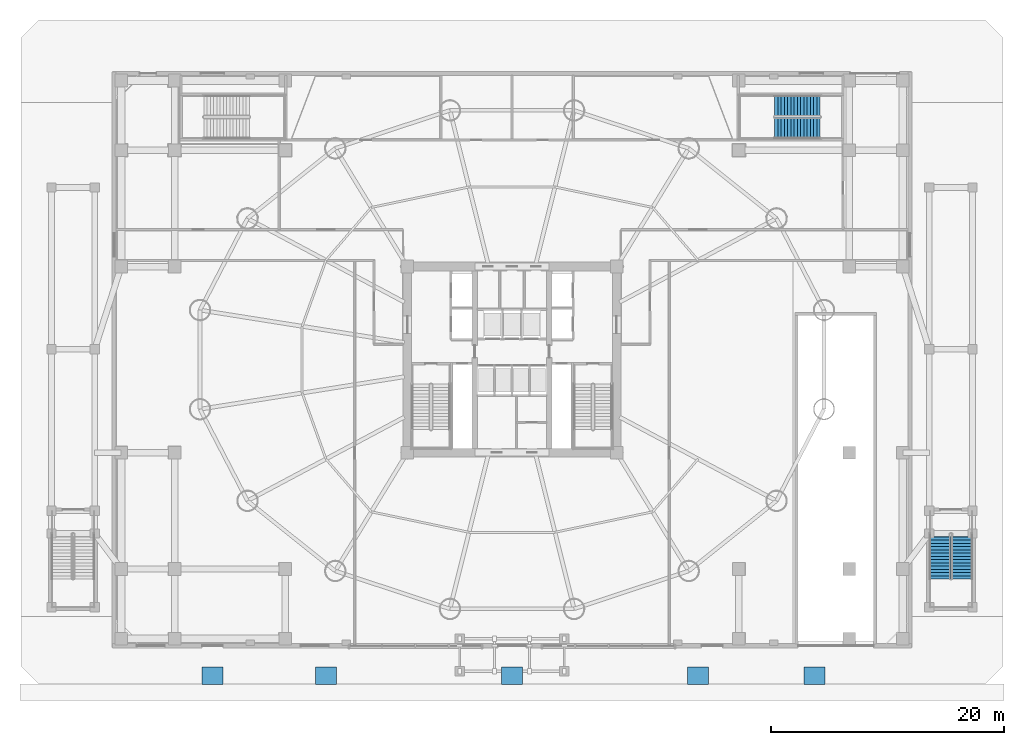
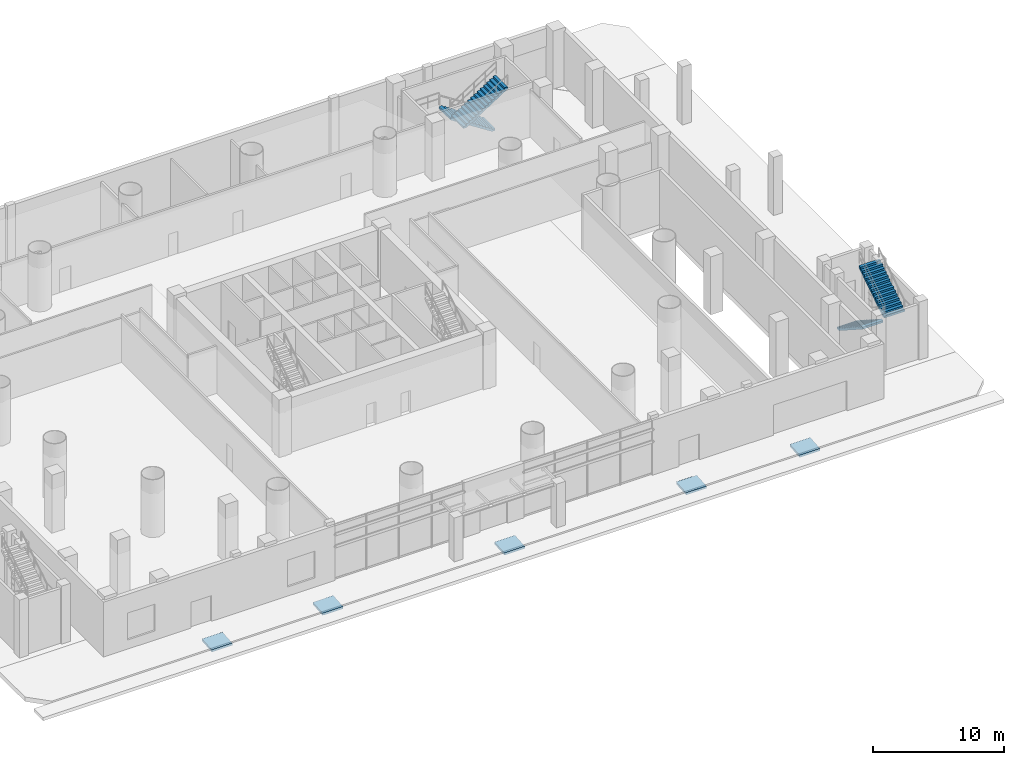
# One storey, part 14 of 25: 5 ramp flights, 4 stair flights, 7 elements without a shape of their own.
"""IFC4 building model written with IfcOpenShell, lengths in metres."""

from ifc_helpers import new_model, si_unit, direction, frame, origin, place, context, subcontext, project, spatial, polyline, outline, extrude, material, layer, layer_set, type_object, element, aggregate, save


model = new_model("IFC4")

# Units and contexts
model_context = context("Model", 3, precision=1e-05, world=origin(), true_north=direction((-0.2419218956, 0.970295726276)))
body_context = subcontext(model_context, "Body", "Model", "MODEL_VIEW")
ifc_project = project(units=[si_unit("LENGTHUNIT", "METRE"), si_unit("AREAUNIT", "SQUARE_METRE"), si_unit("VOLUMEUNIT", "CUBIC_METRE"), si_unit("PLANEANGLEUNIT", "RADIAN"), si_unit("MASSUNIT", "GRAM", prefix="KILO")], contexts=[model_context])

# Site, building, storey
site_placement = place(None, origin())
site = spatial("IfcSite", under=ifc_project, at=site_placement, CompositionType="ELEMENT")
building_placement = place(site_placement, origin())
building = spatial("IfcBuilding", under=site, at=building_placement, Name="Cobrevalo Terracotta Tower", CompositionType="ELEMENT")
storey_placement = place(building_placement, origin())
storey = spatial("IfcBuildingStorey", under=building, at=storey_placement, Name="L00", CompositionType="ELEMENT", Elevation=0.0)

# Stair, stair flights
ifc_material_1 = material(Name="Precast concrete C45", Category="concrete")
stair_type_1 = type_object("IfcStairType", Name="Monumental raised-garden dogleg stair 1850", PredefinedType="HALF_TURN_STAIR", material=ifc_material_1)
stair_1_placement = place(storey_placement, origin())
stair_1 = element("IfcStair", 1, at=stair_1_placement, inside=storey, type_object=stair_type_1, Name="L00 East monumental raised-garden stair", PredefinedType="HALF_TURN_STAIR")
stair_flight_type_1 = type_object("IfcStairFlightType", Name="Monumental raised-garden dogleg stair 1850 flight", PredefinedType="STRAIGHT", material=ifc_material_1)
stair_flight_1_placement = place(storey_placement, frame((74.780029296875, 11.85009765625, 0.0), z_axis=(0.0, 0.0, 1.0), x_axis=(0.0, -1.0, 0.0)))
stair_flight_1 = element("IfcStairFlight", 2, at=stair_flight_1_placement, type_object=stair_flight_type_1, Name="ST-EXT-E flight 1", NumberOfRisers=15, NumberOfTreads=14, PredefinedType="STRAIGHT", RiserHeight=0.18, TreadLength=0.28, context=body_context, shape_type="SweptSolid", body=[
    extrude(outline(polyline([(0.0, 0.0), (0.0, 0.179931640625), (0.280029296875, 0.179931640625), (0.280029296875, 0.360107421875), (0.56005859375, 0.360107421875), (0.56005859375, 0.5400390625), (0.840087890625, 0.5400390625), (0.840087890625, 0.719970703125), (1.1201171875, 0.719970703125), (1.1201171875, 0.89990234375), (1.39990234375, 0.89990234375), (1.39990234375, 1.080078125), (1.679931640625, 1.080078125), (1.679931640625, 1.260009765625), (1.9599609375, 1.260009765625), (1.9599609375, 1.43994140625), (2.239990234375, 1.43994140625), (2.239990234375, 1.6201171875), (2.52001953125, 1.6201171875), (2.52001953125, 1.800048828125), (2.800048828125, 1.800048828125), (2.800048828125, 1.97998046875), (3.080078125, 1.97998046875), (3.080078125, 2.159912109375), (3.360107421875, 2.159912109375), (3.360107421875, 2.340087890625), (3.639892578125, 2.340087890625), (3.639892578125, 2.52001953125), (3.919921875, 2.52001953125), (3.919921875, 2.699951171875), (3.919921875, 2.329833984375), (0.295654296875, 0.0), (0.0, 0.0)])), frame((0.0, 0.89990234375, 0.0), z_axis=(0.0, -1.0, 0.0), x_axis=(1.0, 0.0, 0.0)), (0.0, 0.0, 1.0), 1.800048828125),
])
stair_flight_2_placement = place(storey_placement, frame((76.699951171875, 7.929931640625, 2.699951171875), z_axis=(0.0, 0.0, 1.0), x_axis=(0.0, 1.0, 0.0)))
stair_flight_2 = element("IfcStairFlight", 3, at=stair_flight_2_placement, type_object=stair_flight_type_1, Name="ST-EXT-E flight 2", NumberOfRisers=15, NumberOfTreads=14, PredefinedType="STRAIGHT", RiserHeight=0.18, TreadLength=0.28, context=body_context, shape_type="SweptSolid", body=[
    extrude(outline(polyline([(0.0, 0.0), (0.0, 0.179931640625), (0.280029296875, 0.179931640625), (0.280029296875, 0.360107421875), (0.56005859375, 0.360107421875), (0.56005859375, 0.5400390625), (0.840087890625, 0.5400390625), (0.840087890625, 0.719970703125), (1.1201171875, 0.719970703125), (1.1201171875, 0.89990234375), (1.39990234375, 0.89990234375), (1.39990234375, 1.080078125), (1.679931640625, 1.080078125), (1.679931640625, 1.260009765625), (1.9599609375, 1.260009765625), (1.9599609375, 1.43994140625), (2.239990234375, 1.43994140625), (2.239990234375, 1.6201171875), (2.52001953125, 1.6201171875), (2.52001953125, 1.800048828125), (2.800048828125, 1.800048828125), (2.800048828125, 1.97998046875), (3.080078125, 1.97998046875), (3.080078125, 2.159912109375), (3.360107421875, 2.159912109375), (3.360107421875, 2.340087890625), (3.639892578125, 2.340087890625), (3.639892578125, 2.52001953125), (3.919921875, 2.52001953125), (3.919921875, 2.699951171875), (3.919921875, 2.329833984375), (0.295654296875, 0.0), (0.0, 0.0)])), frame((0.0, 0.89990234375, 0.0), z_axis=(0.0, -1.0, 0.0), x_axis=(1.0, 0.0, 0.0)), (0.0, 0.0, 1.0), 1.800048828125),
])
aggregate(stair_1, [stair_flight_1, stair_flight_2])

ifc_material_2 = material(Name="Concrete C50", Category="concrete")
stair_type_2 = type_object("IfcStairType", Name="Podium concourse escape dogleg stair 1800", PredefinedType="HALF_TURN_STAIR", material=ifc_material_2)
stair_2_placement = place(storey_placement, origin())
stair_2 = element("IfcStair", 4, at=stair_2_placement, inside=storey, type_object=stair_type_2, Name="L00 Protected exit stair ST-P2", PredefinedType="HALF_TURN_STAIR")
stair_flight_type_2 = type_object("IfcStairFlightType", Name="Podium concourse escape dogleg stair 1800 flight", PredefinedType="STRAIGHT", material=ifc_material_2)
stair_flight_3_placement = place(storey_placement, frame((64.5, 48.6201171875, 0.0), z_axis=(0.0, 0.0, 1.0), x_axis=(-1.0, 0.0, 0.0)))
stair_flight_3 = element("IfcStairFlight", 5, at=stair_flight_3_placement, type_object=stair_flight_type_2, Name="ST-P2 flight 1", NumberOfRisers=15, NumberOfTreads=14, PredefinedType="STRAIGHT", RiserHeight=0.18, TreadLength=0.28, context=body_context, shape_type="SweptSolid", body=[
    extrude(outline(polyline([(0.0, 0.0), (0.0, 0.179931640625), (0.280029296875, 0.179931640625), (0.280029296875, 0.360107421875), (0.56005859375, 0.360107421875), (0.56005859375, 0.5400390625), (0.840087890625, 0.5400390625), (0.840087890625, 0.719970703125), (1.1201171875, 0.719970703125), (1.1201171875, 0.89990234375), (1.39990234375, 0.89990234375), (1.39990234375, 1.080078125), (1.679931640625, 1.080078125), (1.679931640625, 1.260009765625), (1.9599609375, 1.260009765625), (1.9599609375, 1.43994140625), (2.239990234375, 1.43994140625), (2.239990234375, 1.6201171875), (2.52001953125, 1.6201171875), (2.52001953125, 1.800048828125), (2.800048828125, 1.800048828125), (2.800048828125, 1.97998046875), (3.080078125, 1.97998046875), (3.080078125, 2.159912109375), (3.360107421875, 2.159912109375), (3.360107421875, 2.340087890625), (3.639892578125, 2.340087890625), (3.639892578125, 2.52001953125), (3.919921875, 2.52001953125), (3.919921875, 2.699951171875), (3.919921875, 2.329833984375), (0.295654296875, 0.0), (0.0, 0.0)])), frame((0.0, 0.89990234375, 0.0), z_axis=(0.0, -1.0, 0.0), x_axis=(1.0, 0.0, 0.0)), (0.0, 0.0, 1.0), 1.800048828125),
])
stair_flight_4_placement = place(storey_placement, frame((60.580078125, 46.699951171875, 2.699951171875), z_axis=(0.0, 0.0, 1.0), x_axis=(1.0, 0.0, 0.0)))
stair_flight_4 = element("IfcStairFlight", 6, at=stair_flight_4_placement, type_object=stair_flight_type_2, Name="ST-P2 flight 2", NumberOfRisers=15, NumberOfTreads=14, PredefinedType="STRAIGHT", RiserHeight=0.18, TreadLength=0.28, context=body_context, shape_type="SweptSolid", body=[
    extrude(outline(polyline([(0.0, 0.0), (0.0, 0.179931640625), (0.280029296875, 0.179931640625), (0.280029296875, 0.360107421875), (0.56005859375, 0.360107421875), (0.56005859375, 0.5400390625), (0.840087890625, 0.5400390625), (0.840087890625, 0.719970703125), (1.1201171875, 0.719970703125), (1.1201171875, 0.89990234375), (1.39990234375, 0.89990234375), (1.39990234375, 1.080078125), (1.679931640625, 1.080078125), (1.679931640625, 1.260009765625), (1.9599609375, 1.260009765625), (1.9599609375, 1.43994140625), (2.239990234375, 1.43994140625), (2.239990234375, 1.6201171875), (2.52001953125, 1.6201171875), (2.52001953125, 1.800048828125), (2.800048828125, 1.800048828125), (2.800048828125, 1.97998046875), (3.080078125, 1.97998046875), (3.080078125, 2.159912109375), (3.360107421875, 2.159912109375), (3.360107421875, 2.340087890625), (3.639892578125, 2.340087890625), (3.639892578125, 2.52001953125), (3.919921875, 2.52001953125), (3.919921875, 2.699951171875), (3.919921875, 2.329833984375), (0.295654296875, 0.0), (0.0, 0.0)])), frame((0.0, 0.89990234375, 0.0), z_axis=(0.0, -1.0, 0.0), x_axis=(1.0, 0.0, 0.0)), (0.0, 0.0, 1.0), 1.800048828125),
])
aggregate(stair_2, [stair_flight_3, stair_flight_4])

# Ramp, ramp flight
ifc_material_3 = material(Name="Concrete C45", Category="concrete")
ramp_type = type_object("IfcRampType", Name="Step-Free Accessible Transition Ramp 1800", PredefinedType="STRAIGHT_RUN_RAMP", material=ifc_material_3)
ramp_1_placement = place(storey_placement, origin())
ramp_1 = element("IfcRamp", 7, at=ramp_1_placement, inside=storey, type_object=ramp_type, Name="L00 accessible plaza threshold ramp 01", PredefinedType="STRAIGHT_RUN_RAMP")
ifc_layer = layer(ifc_material_3, 0.219970703125)
ifc_layer_set = layer_set([ifc_layer], Name="Concrete C45")
ramp_flight_type = type_object("IfcRampFlightType", Name="Step-Free Accessible Transition Ramp Flight 1800", PredefinedType="STRAIGHT", material=ifc_layer_set)
ramp_flight_1_placement = place(storey_placement, frame((12.25, -1.139892578125, -0.1201171875), z_axis=(0.0, 0.0, 1.0), x_axis=(0.0, 1.0, 0.0)))
ramp_flight_1 = element("IfcRampFlight", 8, at=ramp_flight_1_placement, type_object=ramp_flight_type, Name="L00 accessible plaza threshold ramp flight 01", PredefinedType="STRAIGHT", context=body_context, shape_type="SweptSolid", body=[
    extrude(outline(polyline([(0.0, -0.199951171875), (1.5, -0.079833984375), (1.5, 0.1201171875), (0.0, 0.0), (0.0, -0.199951171875)])), frame((0.0, 0.89990234375, 0.0), z_axis=(0.0, -1.0, 0.0), x_axis=(1.0, 0.0, 0.0)), (0.0, 0.0, 1.0), 1.800048828125),
])
aggregate(ramp_1, [ramp_flight_1])

ramp_2_placement = place(storey_placement, origin())
ramp_2 = element("IfcRamp", 9, at=ramp_2_placement, inside=storey, type_object=ramp_type, Name="L00 accessible plaza threshold ramp 02", PredefinedType="STRAIGHT_RUN_RAMP")
ramp_flight_2_placement = place(storey_placement, frame((22.0, -1.139892578125, -0.1201171875), z_axis=(0.0, 0.0, 1.0), x_axis=(0.0, 1.0, 0.0)))
ramp_flight_2 = element("IfcRampFlight", 10, at=ramp_flight_2_placement, type_object=ramp_flight_type, Name="L00 accessible plaza threshold ramp flight 02", PredefinedType="STRAIGHT", context=body_context, shape_type="SweptSolid", body=[
    extrude(outline(polyline([(0.0, -0.199951171875), (1.5, -0.079833984375), (1.5, 0.1201171875), (0.0, 0.0), (0.0, -0.199951171875)])), frame((0.0, 0.89990234375, 0.0), z_axis=(0.0, -1.0, 0.0), x_axis=(1.0, 0.0, 0.0)), (0.0, 0.0, 1.0), 1.800048828125),
])
aggregate(ramp_2, [ramp_flight_2])

ramp_3_placement = place(storey_placement, origin())
ramp_3 = element("IfcRamp", 11, at=ramp_3_placement, inside=storey, type_object=ramp_type, Name="L00 accessible plaza threshold ramp 03", PredefinedType="STRAIGHT_RUN_RAMP")
ramp_flight_3_placement = place(storey_placement, frame((38.0, -1.139892578125, -0.1201171875), z_axis=(0.0, 0.0, 1.0), x_axis=(0.0, 1.0, 0.0)))
ramp_flight_3 = element("IfcRampFlight", 12, at=ramp_flight_3_placement, type_object=ramp_flight_type, Name="L00 accessible plaza threshold ramp flight 03", PredefinedType="STRAIGHT", context=body_context, shape_type="SweptSolid", body=[
    extrude(outline(polyline([(0.0, -0.199951171875), (1.5, -0.079833984375), (1.5, 0.1201171875), (0.0, 0.0), (0.0, -0.199951171875)])), frame((0.0, 0.89990234375, 0.0), z_axis=(0.0, -1.0, 0.0), x_axis=(1.0, 0.0, 0.0)), (0.0, 0.0, 1.0), 1.800048828125),
])
aggregate(ramp_3, [ramp_flight_3])

ramp_4_placement = place(storey_placement, origin())
ramp_4 = element("IfcRamp", 13, at=ramp_4_placement, inside=storey, type_object=ramp_type, Name="L00 accessible plaza threshold ramp 04", PredefinedType="STRAIGHT_RUN_RAMP")
ramp_flight_4_placement = place(storey_placement, frame((54.0, -1.139892578125, -0.1201171875), z_axis=(0.0, 0.0, 1.0), x_axis=(0.0, 1.0, 0.0)))
ramp_flight_4 = element("IfcRampFlight", 14, at=ramp_flight_4_placement, type_object=ramp_flight_type, Name="L00 accessible plaza threshold ramp flight 04", PredefinedType="STRAIGHT", context=body_context, shape_type="SweptSolid", body=[
    extrude(outline(polyline([(0.0, -0.199951171875), (1.5, -0.079833984375), (1.5, 0.1201171875), (0.0, 0.0), (0.0, -0.199951171875)])), frame((0.0, 0.89990234375, 0.0), z_axis=(0.0, -1.0, 0.0), x_axis=(1.0, 0.0, 0.0)), (0.0, 0.0, 1.0), 1.800048828125),
])
aggregate(ramp_4, [ramp_flight_4])

ramp_5_placement = place(storey_placement, origin())
ramp_5 = element("IfcRamp", 15, at=ramp_5_placement, inside=storey, type_object=ramp_type, Name="L00 accessible plaza threshold ramp 05", PredefinedType="STRAIGHT_RUN_RAMP")
ramp_flight_5_placement = place(storey_placement, frame((64.0, -1.139892578125, -0.1201171875), z_axis=(0.0, 0.0, 1.0), x_axis=(0.0, 1.0, 0.0)))
ramp_flight_5 = element("IfcRampFlight", 16, at=ramp_flight_5_placement, type_object=ramp_flight_type, Name="L00 accessible plaza threshold ramp flight 05", PredefinedType="STRAIGHT", context=body_context, shape_type="SweptSolid", body=[
    extrude(outline(polyline([(0.0, -0.199951171875), (1.5, -0.079833984375), (1.5, 0.1201171875), (0.0, 0.0), (0.0, -0.199951171875)])), frame((0.0, 0.89990234375, 0.0), z_axis=(0.0, -1.0, 0.0), x_axis=(1.0, 0.0, 0.0)), (0.0, 0.0, 1.0), 1.800048828125),
])
aggregate(ramp_5, [ramp_flight_5])

save(model, "model.ifc")
